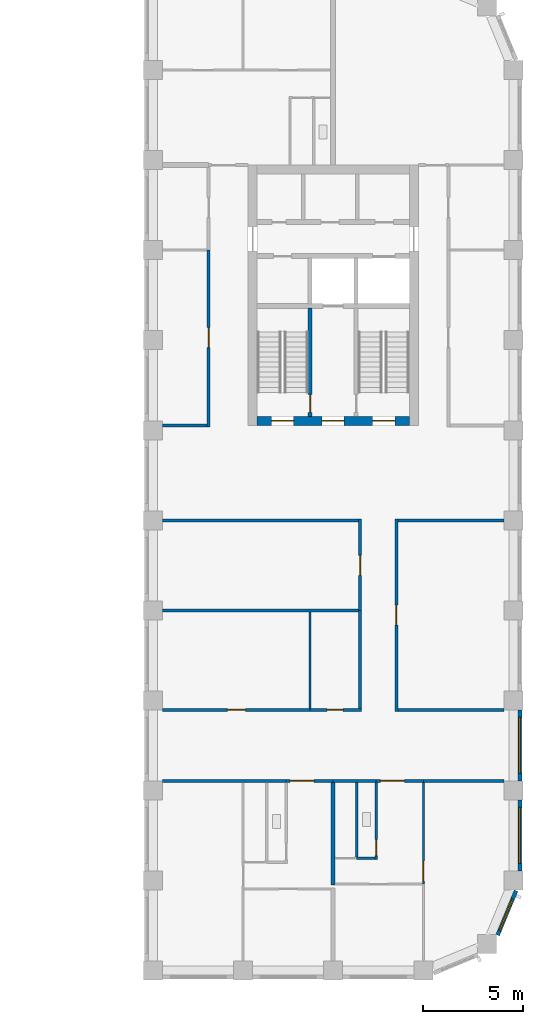
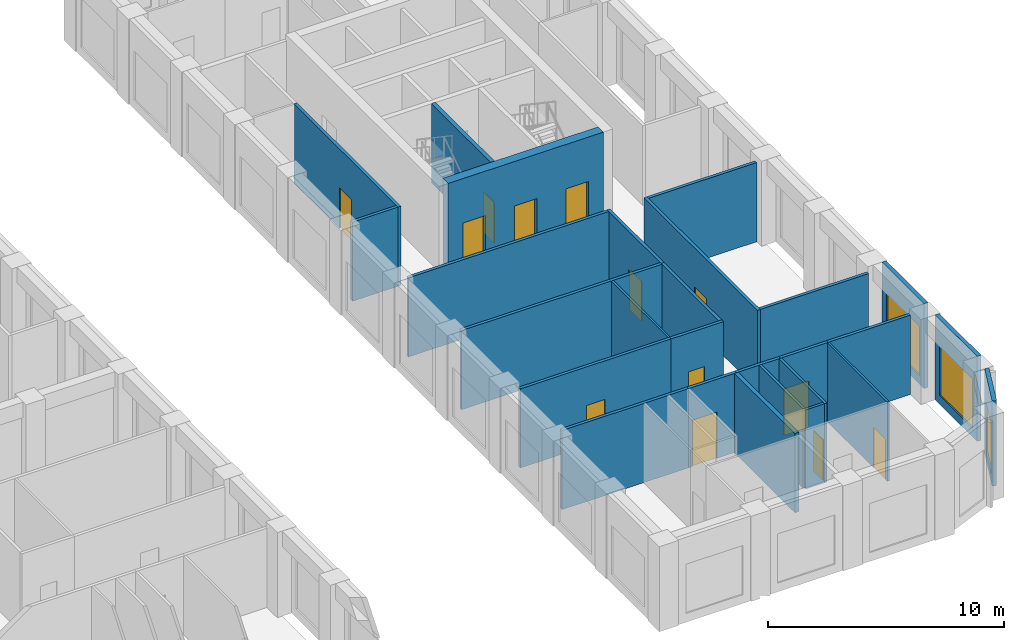
# One storey, part 5 of 13: 27 walls, 13 doors, 3 windows, 16 openings.
"""IFC4 building model written with IfcOpenShell, lengths in metres."""

from ifc_helpers import new_model, si_unit, direction, frame, frame_2d, origin, place, context, subcontext, project, spatial, rectangle, extrude, material, layer, layer_set, type_object, element, fill, save


model = new_model("IFC4")

# Units and contexts
model_context = context("Model", 3, precision=1e-05, world=origin(), true_north=direction((0.0, 1.0)))
body_context = subcontext(model_context, "Body", "Model", "MODEL_VIEW")
ifc_project = project(units=[si_unit("LENGTHUNIT", "METRE"), si_unit("AREAUNIT", "SQUARE_METRE"), si_unit("VOLUMEUNIT", "CUBIC_METRE"), si_unit("PLANEANGLEUNIT", "RADIAN"), si_unit("MASSUNIT", "GRAM", prefix="KILO")], contexts=[model_context])

# Site, building, storey
site_placement = place(None, origin())
site = spatial("IfcSite", under=ifc_project, at=site_placement, CompositionType="ELEMENT")
building_placement = place(site_placement, origin())
building = spatial("IfcBuilding", under=site, at=building_placement, Name="Girih Gate Residences", CompositionType="ELEMENT")
storey_placement = place(building_placement, frame((0.0, 0.0, 159.39990234375)))
storey = spatial("IfcBuildingStorey", under=building, at=storey_placement, Name="L44", CompositionType="ELEMENT", Elevation=159.39990234375)

# Wall, opening, door
ifc_material_1 = material(Name="Gypsum board on steel studs", Category="steel")
ifc_layer_1 = layer(ifc_material_1, 0.14990234375)
ifc_layer_set_1 = layer_set([ifc_layer_1], Name="Compartment wall 150 mm")
wall_type_1 = type_object("IfcWallType", Name="Compartment wall 150 mm", PredefinedType="PARTITIONING", material=ifc_layer_set_1)
wall_1_placement = place(storey_placement, frame((45.0, 9.47509765625, 0.0), z_axis=(0.0, 0.0, 1.0), x_axis=(-1.0, 0.0, 0.0)))
wall_1 = element("IfcWall", 1, at=wall_1_placement, inside=storey, type_object=wall_type_1, Name="L44 partition", PredefinedType="PARTITIONING", context=body_context, shape_type="SweptSolid", body=[
    extrude(rectangle(XDim=2.35009765625, YDim=0.14990234375, at=frame_2d((1.175048828125, 0.0))), origin(), (0.0, 0.0, 1.0), 4.10009765625),
])
opening_1_placement = place(wall_1_placement, frame((0.949951171875, 0.0, 0.0)))
opening_1 = element("IfcOpeningElement", 2, at=opening_1_placement, cuts=wall_1, Name="Opening A44-021", PredefinedType="OPENING", context=body_context, shape_type="SweptSolid", body=[
    extrude(rectangle(XDim=1.199951171875, YDim=2.39990234375, at=frame_2d((0.60009765625, 1.199951171875))), frame((0.0, 0.0849609375, 0.0), z_axis=(0.0, -1.0, 0.0), x_axis=(1.0, 0.0, 0.0)), (0.0, 0.0, 1.0), 0.169921875),
])
ifc_material_2 = material(Name="Timber, fire-rated core", Category="wood")
door_type_1 = type_object("IfcDoorType", Name="Villa entrance door 1200x2400 FD30S", OperationType="NOTDEFINED", PredefinedType="DOOR", material=ifc_material_2)
door_1_placement = place(opening_1_placement, origin())
door_1 = element("IfcDoor", 3, at=door_1_placement, inside=storey, type_object=door_type_1, Name="Door A44-021", OperationType="SINGLE_SWING_RIGHT", OverallHeight=2.39990234375, OverallWidth=1.199951171875, PredefinedType="DOOR", context=body_context, shape_type="SweptSolid", body=[
    extrude(rectangle(XDim=1.199951171875, YDim=2.39990234375, at=frame_2d((0.60009765625, 1.199951171875))), frame((0.0, 0.02490234375, 0.0), z_axis=(0.0, -1.0, 0.0), x_axis=(1.0, 0.0, 0.0)), (0.0, 0.0, 1.0), 0.050048828125),
])
fill(opening_1, door_1)

# Walls
wall_2_placement = place(storey_placement, frame((40.5, 9.47509765625, 0.0), z_axis=(0.0, 0.0, 1.0), x_axis=(1.0, 0.0, 0.0)))
element("IfcWall", 4, at=wall_2_placement, inside=storey, type_object=wall_type_1, Name="L44 partition", PredefinedType="PARTITIONING", context=body_context, shape_type="SweptSolid", body=[
    extrude(rectangle(XDim=2.14990234375, YDim=0.14990234375, at=frame_2d((1.074951171875, 0.0))), origin(), (0.0, 0.0, 1.0), 4.10009765625),
])
wall_3_placement = place(storey_placement, frame((45.0, 9.47509765625, 0.0), z_axis=(0.0, 0.0, 1.0), x_axis=(1.0, 0.0, 0.0)))
element("IfcWall", 5, at=wall_3_placement, inside=storey, type_object=wall_type_1, Name="L44 partition", PredefinedType="PARTITIONING", context=body_context, shape_type="SweptSolid", body=[
    extrude(rectangle(XDim=4.02490234375, YDim=0.14990234375, at=frame_2d((2.012451171875, 0.0))), origin(), (0.0, 0.0, 1.0), 4.10009765625),
])

# Wall, opening, door
wall_4_placement = place(storey_placement, frame((40.5, 9.47509765625, 0.0), z_axis=(0.0, 0.0, 1.0), x_axis=(-1.0, 0.0, 0.0)))
wall_4 = element("IfcWall", 6, at=wall_4_placement, inside=storey, type_object=wall_type_1, Name="L44 partition", PredefinedType="PARTITIONING", context=body_context, shape_type="SweptSolid", body=[
    extrude(rectangle(XDim=2.35009765625, YDim=0.14990234375, at=frame_2d((1.175048828125, 0.0))), origin(), (0.0, 0.0, 1.0), 4.10009765625),
])
opening_2_placement = place(wall_4_placement, frame((0.949951171875, 0.0, 0.0)))
opening_2 = element("IfcOpeningElement", 7, at=opening_2_placement, cuts=wall_4, Name="Opening A44-026", PredefinedType="OPENING", context=body_context, shape_type="SweptSolid", body=[
    extrude(rectangle(XDim=1.199951171875, YDim=2.39990234375, at=frame_2d((0.60009765625, 1.199951171875))), frame((0.0, 0.0849609375, 0.0), z_axis=(0.0, -1.0, 0.0), x_axis=(1.0, 0.0, 0.0)), (0.0, 0.0, 1.0), 0.169921875),
])
door_2_placement = place(opening_2_placement, origin())
door_2 = element("IfcDoor", 8, at=door_2_placement, inside=storey, type_object=door_type_1, Name="Door A44-026", OperationType="SINGLE_SWING_RIGHT", OverallHeight=2.39990234375, OverallWidth=1.199951171875, PredefinedType="DOOR", context=body_context, shape_type="SweptSolid", body=[
    extrude(rectangle(XDim=1.199951171875, YDim=2.39990234375, at=frame_2d((0.60009765625, 1.199951171875))), frame((0.0, 0.02490234375, 0.0), z_axis=(0.0, -1.0, 0.0), x_axis=(1.0, 0.0, 0.0)), (0.0, 0.0, 1.0), 0.050048828125),
])
fill(opening_2, door_2)

# Walls
wall_5_placement = place(storey_placement, frame((31.97509765625, 9.47509765625, 0.0), z_axis=(0.0, 0.0, 1.0), x_axis=(1.0, 0.0, 0.0)))
element("IfcWall", 9, at=wall_5_placement, inside=storey, type_object=wall_type_1, Name="L44 partition", PredefinedType="PARTITIONING", context=body_context, shape_type="SweptSolid", body=[
    extrude(rectangle(XDim=6.1748046875, YDim=0.14990234375, at=frame_2d((3.08740234375, 0.0))), origin(), (0.0, 0.0, 1.0), 4.10009765625),
])
wall_6_placement = place(storey_placement, frame((31.97509765625, 22.5, 0.0), z_axis=(0.0, 0.0, 1.0), x_axis=(1.0, 0.0, 0.0)))
element("IfcWall", 10, at=wall_6_placement, inside=storey, type_object=wall_type_1, Name="L44 partition", PredefinedType="PARTITIONING", context=body_context, shape_type="SweptSolid", body=[
    extrude(rectangle(XDim=9.7998046875, YDim=0.14990234375, at=frame_2d((4.89990234375, 0.0))), origin(), (0.0, 0.0, 1.0), 4.10009765625),
])

# Wall, opening, door
wall_7_placement = place(storey_placement, frame((41.85009765625, 18.0, 0.0), z_axis=(0.0, 0.0, 1.0), x_axis=(0.0, 1.0, 0.0)))
wall_7 = element("IfcWall", 11, at=wall_7_placement, inside=storey, type_object=wall_type_1, Name="L44 partition", PredefinedType="PARTITIONING", context=body_context, shape_type="SweptSolid", body=[
    extrude(rectangle(XDim=4.574951171875, YDim=0.14990234375, at=frame_2d((2.28759765625, 0.0))), origin(), (0.0, 0.0, 1.0), 4.10009765625),
])
opening_3_placement = place(wall_7_placement, frame((1.75, 0.0, 0.0)))
opening_3 = element("IfcOpeningElement", 12, at=opening_3_placement, cuts=wall_7, Name="Opening A44-032", PredefinedType="OPENING", context=body_context, shape_type="SweptSolid", body=[
    extrude(rectangle(XDim=1.0, YDim=2.10009765625, at=frame_2d((0.5, 1.050048828125))), frame((0.0, 0.0849609375, 0.0), z_axis=(0.0, -1.0, 0.0), x_axis=(1.0, 0.0, 0.0)), (0.0, 0.0, 1.0), 0.169921875),
])
door_type_2 = type_object("IfcDoorType", Name="Amenity room door 1000x2100 FD30S", OperationType="NOTDEFINED", PredefinedType="DOOR", material=ifc_material_2)
door_3_placement = place(opening_3_placement, origin())
door_3 = element("IfcDoor", 13, at=door_3_placement, inside=storey, type_object=door_type_2, Name="Door A44-032", OperationType="SINGLE_SWING_LEFT", OverallHeight=2.10009765625, OverallWidth=1.0, PredefinedType="DOOR", context=body_context, shape_type="SweptSolid", body=[
    extrude(rectangle(XDim=1.0, YDim=2.10009765625, at=frame_2d((0.5, 1.050048828125))), frame((0.0, 0.02490234375, 0.0), z_axis=(0.0, -1.0, 0.0), x_axis=(1.0, 0.0, 0.0)), (0.0, 0.0, 1.0), 0.050048828125),
])
fill(opening_3, door_3)

# Wall
wall_8_placement = place(storey_placement, frame((31.97509765625, 18.0, 0.0), z_axis=(0.0, 0.0, 1.0), x_axis=(1.0, 0.0, 0.0)))
element("IfcWall", 14, at=wall_8_placement, inside=storey, type_object=wall_type_1, Name="L44 partition", PredefinedType="PARTITIONING", context=body_context, shape_type="SweptSolid", body=[
    extrude(rectangle(XDim=9.7998046875, YDim=0.14990234375, at=frame_2d((4.89990234375, 0.0))), origin(), (0.0, 0.0, 1.0), 4.10009765625),
])

# Wall, opening, door
wall_9_placement = place(storey_placement, frame((31.97509765625, 13.02490234375, 0.0), z_axis=(0.0, 0.0, 1.0), x_axis=(1.0, 0.0, 0.0)))
wall_9 = element("IfcWall", 15, at=wall_9_placement, inside=storey, type_object=wall_type_1, Name="L44 partition", PredefinedType="PARTITIONING", context=body_context, shape_type="SweptSolid", body=[
    extrude(rectangle(XDim=7.375, YDim=0.14990234375, at=frame_2d((3.6875, 0.0))), origin(), (0.0, 0.0, 1.0), 4.10009765625),
])
opening_4_placement = place(wall_9_placement, frame((3.237548828125, 0.0, 0.0)))
opening_4 = element("IfcOpeningElement", 16, at=opening_4_placement, cuts=wall_9, Name="Opening A44-034", PredefinedType="OPENING", context=body_context, shape_type="SweptSolid", body=[
    extrude(rectangle(XDim=0.89990234375, YDim=2.10009765625, at=frame_2d((0.449951171875, 1.050048828125))), frame((0.0, 0.0849609375, 0.0), z_axis=(0.0, -1.0, 0.0), x_axis=(1.0, 0.0, 0.0)), (0.0, 0.0, 1.0), 0.169921875),
])
ifc_material_3 = material(Name="Timber", Category="wood")
door_type_3 = type_object("IfcDoorType", Name="Service room door 900x2100", OperationType="NOTDEFINED", PredefinedType="DOOR", material=ifc_material_3)
door_4_placement = place(opening_4_placement, origin())
door_4 = element("IfcDoor", 17, at=door_4_placement, inside=storey, type_object=door_type_3, Name="Door A44-034", OperationType="SINGLE_SWING_LEFT", OverallHeight=2.10009765625, OverallWidth=0.89990234375, PredefinedType="DOOR", context=body_context, shape_type="SweptSolid", body=[
    extrude(rectangle(XDim=0.89990234375, YDim=2.10009765625, at=frame_2d((0.449951171875, 1.050048828125))), frame((0.0, 0.02490234375, 0.0), z_axis=(0.0, -1.0, 0.0), x_axis=(1.0, 0.0, 0.0)), (0.0, 0.0, 1.0), 0.050048828125),
])
fill(opening_4, door_4)

wall_10_placement = place(storey_placement, frame((39.35009765625, 13.02490234375, 0.0), z_axis=(0.0, 0.0, 1.0), x_axis=(1.0, 0.0, 0.0)))
wall_10 = element("IfcWall", 18, at=wall_10_placement, inside=storey, type_object=wall_type_1, Name="L44 partition", PredefinedType="PARTITIONING", context=body_context, shape_type="SweptSolid", body=[
    extrude(rectangle(XDim=2.574951171875, YDim=0.14990234375, at=frame_2d((1.28759765625, 0.0))), origin(), (0.0, 0.0, 1.0), 4.10009765625),
])
opening_5_placement = place(wall_10_placement, frame((0.85009765625, 0.0, 0.0)))
opening_5 = element("IfcOpeningElement", 19, at=opening_5_placement, cuts=wall_10, Name="Opening A44-035", PredefinedType="OPENING", context=body_context, shape_type="SweptSolid", body=[
    extrude(rectangle(XDim=0.800048828125, YDim=2.10009765625, at=frame_2d((0.39990234375, 1.050048828125))), frame((0.0, 0.0849609375, 0.0), z_axis=(0.0, -1.0, 0.0), x_axis=(1.0, 0.0, 0.0)), (0.0, 0.0, 1.0), 0.169921875),
])
door_type_4 = type_object("IfcDoorType", Name="Bathroom door 800x2100", OperationType="NOTDEFINED", PredefinedType="DOOR", material=ifc_material_3)
door_5_placement = place(opening_5_placement, origin())
door_5 = element("IfcDoor", 20, at=door_5_placement, inside=storey, type_object=door_type_4, Name="Door A44-035", OperationType="SINGLE_SWING_LEFT", OverallHeight=2.10009765625, OverallWidth=0.800048828125, PredefinedType="DOOR", context=body_context, shape_type="SweptSolid", body=[
    extrude(rectangle(XDim=0.800048828125, YDim=2.10009765625, at=frame_2d((0.39990234375, 1.050048828125))), frame((0.0, 0.02490234375, 0.0), z_axis=(0.0, -1.0, 0.0), x_axis=(1.0, 0.0, 0.0)), (0.0, 0.0, 1.0), 0.050048828125),
])
fill(opening_5, door_5)

# Walls
wall_11_placement = place(storey_placement, frame((43.72509765625, 13.02490234375, 0.0), z_axis=(0.0, 0.0, 1.0), x_axis=(1.0, 0.0, 0.0)))
element("IfcWall", 21, at=wall_11_placement, inside=storey, type_object=wall_type_1, Name="L44 partition", PredefinedType="PARTITIONING", context=body_context, shape_type="SweptSolid", body=[
    extrude(rectangle(XDim=5.2998046875, YDim=0.14990234375, at=frame_2d((2.64990234375, 0.0))), origin(), (0.0, 0.0, 1.0), 4.10009765625),
])
wall_12_placement = place(storey_placement, frame((31.97509765625, 27.25, 0.0), z_axis=(0.0, 0.0, 1.0), x_axis=(1.0, 0.0, 0.0)))
element("IfcWall", 22, at=wall_12_placement, inside=storey, type_object=wall_type_1, Name="L44 partition", PredefinedType="PARTITIONING", context=body_context, shape_type="SweptSolid", body=[
    extrude(rectangle(XDim=2.224853515625, YDim=0.14990234375, at=frame_2d((1.1123046875, 0.0))), origin(), (0.0, 0.0, 1.0), 4.10009765625),
])

# Wall, opening, door
wall_13_placement = place(storey_placement, frame((34.27490234375, 27.175048828125, 0.0), z_axis=(0.0, 0.0, 1.0), x_axis=(0.0, 1.0, 0.0)))
wall_13 = element("IfcWall", 23, at=wall_13_placement, inside=storey, type_object=wall_type_1, Name="L44 partition", PredefinedType="PARTITIONING", context=body_context, shape_type="SweptSolid", body=[
    extrude(rectangle(XDim=8.824951171875, YDim=0.14990234375, at=frame_2d((4.41259765625, 0.0))), origin(), (0.0, 0.0, 1.0), 4.10009765625),
])
opening_6_placement = place(wall_13_placement, frame((3.949951171875, 0.0, 0.0)))
opening_6 = element("IfcOpeningElement", 24, at=opening_6_placement, cuts=wall_13, Name="Opening A44-039", PredefinedType="OPENING", context=body_context, shape_type="SweptSolid", body=[
    extrude(rectangle(XDim=1.0, YDim=2.10009765625, at=frame_2d((0.5, 1.050048828125))), frame((0.0, 0.0849609375, 0.0), z_axis=(0.0, -1.0, 0.0), x_axis=(1.0, 0.0, 0.0)), (0.0, 0.0, 1.0), 0.169921875),
])
door_6_placement = place(opening_6_placement, origin())
door_6 = element("IfcDoor", 25, at=door_6_placement, inside=storey, type_object=door_type_2, Name="Door A44-039", OperationType="SINGLE_SWING_RIGHT", OverallHeight=2.10009765625, OverallWidth=1.0, PredefinedType="DOOR", context=body_context, shape_type="SweptSolid", body=[
    extrude(rectangle(XDim=1.0, YDim=2.10009765625, at=frame_2d((0.5, 1.050048828125))), frame((0.0, 0.02490234375, 0.0), z_axis=(0.0, -1.0, 0.0), x_axis=(1.0, 0.0, 0.0)), (0.0, 0.0, 1.0), 0.050048828125),
])
fill(opening_6, door_6)

# Walls
wall_14_placement = place(storey_placement, frame((43.72509765625, 22.5, 0.0), z_axis=(0.0, 0.0, 1.0), x_axis=(1.0, 0.0, 0.0)))
element("IfcWall", 26, at=wall_14_placement, inside=storey, type_object=wall_type_1, Name="L44 partition", PredefinedType="PARTITIONING", context=body_context, shape_type="SweptSolid", body=[
    extrude(rectangle(XDim=5.2998046875, YDim=0.14990234375, at=frame_2d((2.64990234375, 0.0))), origin(), (0.0, 0.0, 1.0), 4.10009765625),
])
wall_15_placement = place(storey_placement, frame((41.85009765625, 13.10009765625, 0.0), z_axis=(0.0, 0.0, 1.0), x_axis=(0.0, 1.0, 0.0)))
element("IfcWall", 27, at=wall_15_placement, inside=storey, type_object=wall_type_1, Name="L44 partition", PredefinedType="PARTITIONING", context=body_context, shape_type="SweptSolid", body=[
    extrude(rectangle(XDim=4.89990234375, YDim=0.14990234375, at=frame_2d((2.449951171875, 0.0))), origin(), (0.0, 0.0, 1.0), 4.10009765625),
])

# Wall, opening, door
wall_16_placement = place(storey_placement, frame((43.64990234375, 22.574951171875, 0.0), z_axis=(0.0, 0.0, 1.0), x_axis=(0.0, -1.0, 0.0)))
wall_16 = element("IfcWall", 28, at=wall_16_placement, inside=storey, type_object=wall_type_1, Name="L44 partition", PredefinedType="PARTITIONING", context=body_context, shape_type="SweptSolid", body=[
    extrude(rectangle(XDim=9.625, YDim=0.14990234375, at=frame_2d((4.8125, 0.0))), origin(), (0.0, 0.0, 1.0), 4.10009765625),
])
opening_7_placement = place(wall_16_placement, frame((4.3125, 0.0, 0.0)))
opening_7 = element("IfcOpeningElement", 29, at=opening_7_placement, cuts=wall_16, Name="Opening A44-047", PredefinedType="OPENING", context=body_context, shape_type="SweptSolid", body=[
    extrude(rectangle(XDim=1.0, YDim=2.10009765625, at=frame_2d((0.5, 1.050048828125))), frame((0.0, 0.0849609375, 0.0), z_axis=(0.0, -1.0, 0.0), x_axis=(1.0, 0.0, 0.0)), (0.0, 0.0, 1.0), 0.169921875),
])
door_7_placement = place(opening_7_placement, origin())
door_7 = element("IfcDoor", 30, at=door_7_placement, inside=storey, type_object=door_type_2, Name="Door A44-047", OperationType="SINGLE_SWING_RIGHT", OverallHeight=2.10009765625, OverallWidth=1.0, PredefinedType="DOOR", context=body_context, shape_type="SweptSolid", body=[
    extrude(rectangle(XDim=1.0, YDim=2.10009765625, at=frame_2d((0.5, 1.050048828125))), frame((0.0, 0.02490234375, 0.0), z_axis=(0.0, -1.0, 0.0), x_axis=(1.0, 0.0, 0.0)), (0.0, 0.0, 1.0), 0.050048828125),
])
fill(opening_7, door_7)

# Wall, openings, doors
ifc_material_4 = material(Name="Concrete C60/75", Category="concrete")
ifc_layer_2 = layer(ifc_material_4, 0.449951171875)
ifc_layer_set_2 = layer_set([ifc_layer_2], Name="Core wall RC 450 Concrete C60/75")
wall_type_2 = type_object("IfcWallType", Name="Core wall RC 450 Concrete C60/75", PredefinedType="SOLIDWALL", material=ifc_layer_set_2)
wall_17_placement = place(storey_placement, frame((36.699951171875, 27.47509765625, 0.0), z_axis=(0.0, 0.0, 1.0), x_axis=(1.0, 0.0, 0.0)))
wall_17 = element("IfcWall", 31, at=wall_17_placement, inside=storey, type_object=wall_type_2, Name="Core wall E-S L44", PredefinedType="SOLIDWALL", context=body_context, shape_type="SweptSolid", body=[
    extrude(rectangle(XDim=7.60009765625, YDim=0.449951171875, at=frame_2d((3.800048828125, 0.0))), origin(), (0.0, 0.0, 1.0), 4.400146484375),
])
opening_8_placement = place(wall_17_placement, frame((5.77490234375, 0.0, 0.0)))
opening_8 = element("IfcOpeningElement", 32, at=opening_8_placement, cuts=wall_17, Name="Opening D-L44-E-009", PredefinedType="OPENING", context=body_context, shape_type="SweptSolid", body=[
    extrude(rectangle(XDim=1.10009765625, YDim=2.10009765625, at=frame_2d((0.550048828125, 1.050048828125))), frame((0.0, 0.23486328125, 0.0), z_axis=(0.0, -1.0, 0.0), x_axis=(1.0, 0.0, 0.0)), (0.0, 0.0, 1.0), 0.469970703125),
])
opening_9_placement = place(wall_17_placement, frame((3.25, 0.0, 0.0)))
opening_9 = element("IfcOpeningElement", 33, at=opening_9_placement, cuts=wall_17, Name="Opening D-L44-E-010", PredefinedType="OPENING", context=body_context, shape_type="SweptSolid", body=[
    extrude(rectangle(XDim=1.10009765625, YDim=2.10009765625, at=frame_2d((0.550048828125, 1.050048828125))), frame((0.0, 0.23486328125, 0.0), z_axis=(0.0, -1.0, 0.0), x_axis=(1.0, 0.0, 0.0)), (0.0, 0.0, 1.0), 0.469970703125),
])
opening_10_placement = place(wall_17_placement, frame((0.72509765625, 0.0, 0.0)))
opening_10 = element("IfcOpeningElement", 34, at=opening_10_placement, cuts=wall_17, Name="Opening D-L44-E-011", PredefinedType="OPENING", context=body_context, shape_type="SweptSolid", body=[
    extrude(rectangle(XDim=1.10009765625, YDim=2.10009765625, at=frame_2d((0.550048828125, 1.050048828125))), frame((0.0, 0.23486328125, 0.0), z_axis=(0.0, -1.0, 0.0), x_axis=(1.0, 0.0, 0.0)), (0.0, 0.0, 1.0), 0.469970703125),
])
ifc_material_5 = material(Name="Painted steel, fire-resisting", Category="steel")
door_type_5 = type_object("IfcDoorType", Name="Fire door 1100x2100", OperationType="SINGLE_SWING_LEFT", PredefinedType="DOOR", material=ifc_material_5)
door_8_placement = place(opening_8_placement, origin())
door_8 = element("IfcDoor", 35, at=door_8_placement, inside=storey, type_object=door_type_5, Name="L44 E core door sta-out", OperationType="SINGLE_SWING_LEFT", OverallHeight=2.10009765625, OverallWidth=1.10009765625, PredefinedType="DOOR", context=body_context, shape_type="SweptSolid", body=[
    extrude(rectangle(XDim=1.10009765625, YDim=2.10009765625, at=frame_2d((0.550048828125, 1.050048828125))), frame((0.0, 0.02490234375, 0.0), z_axis=(0.0, -1.0, 0.0), x_axis=(1.0, 0.0, 0.0)), (0.0, 0.0, 1.0), 0.050048828125),
])
fill(opening_8, door_8)
door_9_placement = place(opening_9_placement, origin())
door_9 = element("IfcDoor", 36, at=door_9_placement, inside=storey, type_object=door_type_5, Name="L44 E core door ffl-out", OperationType="SINGLE_SWING_LEFT", OverallHeight=2.10009765625, OverallWidth=1.10009765625, PredefinedType="DOOR", context=body_context, shape_type="SweptSolid", body=[
    extrude(rectangle(XDim=1.10009765625, YDim=2.10009765625, at=frame_2d((0.550048828125, 1.050048828125))), frame((0.0, 0.02490234375, 0.0), z_axis=(0.0, -1.0, 0.0), x_axis=(1.0, 0.0, 0.0)), (0.0, 0.0, 1.0), 0.050048828125),
])
fill(opening_9, door_9)
door_10_placement = place(opening_10_placement, origin())
door_10 = element("IfcDoor", 37, at=door_10_placement, inside=storey, type_object=door_type_5, Name="L44 E core door stb-out", OperationType="SINGLE_SWING_LEFT", OverallHeight=2.10009765625, OverallWidth=1.10009765625, PredefinedType="DOOR", context=body_context, shape_type="SweptSolid", body=[
    extrude(rectangle(XDim=1.10009765625, YDim=2.10009765625, at=frame_2d((0.550048828125, 1.050048828125))), frame((0.0, 0.02490234375, 0.0), z_axis=(0.0, -1.0, 0.0), x_axis=(1.0, 0.0, 0.0)), (0.0, 0.0, 1.0), 0.050048828125),
])
fill(opening_10, door_10)

# Wall, opening, door
ifc_layer_3 = layer(ifc_material_1, 0.10009765625)
ifc_layer_set_3 = layer_set([ifc_layer_3], Name="Partition 100 mm")
wall_type_3 = type_object("IfcWallType", Name="Partition 100 mm", PredefinedType="PARTITIONING", material=ifc_layer_set_3)
wall_18_placement = place(storey_placement, frame((45.0, 9.39990234375, 0.0), z_axis=(0.0, 0.0, 1.0), x_axis=(0.0, -1.0, 0.0)))
wall_18 = element("IfcWall", 38, at=wall_18_placement, inside=storey, type_object=wall_type_3, Name="L44 partition", PredefinedType="PARTITIONING", context=body_context, shape_type="SweptSolid", body=[
    extrude(rectangle(XDim=5.0849609375, YDim=0.10009765625, at=frame_2d((2.54248046875, 0.0))), origin(), (0.0, 0.0, 1.0), 4.10009765625),
])
opening_11_placement = place(wall_18_placement, frame((3.93505859375, 0.0, 0.0)))
opening_11 = element("IfcOpeningElement", 39, at=opening_11_placement, cuts=wall_18, Name="Opening A44-020", PredefinedType="OPENING", context=body_context, shape_type="SweptSolid", body=[
    extrude(rectangle(XDim=1.0, YDim=2.10009765625, at=frame_2d((0.5, 1.050048828125))), frame((0.0, 0.06005859375, 0.0), z_axis=(0.0, -1.0, 0.0), x_axis=(1.0, 0.0, 0.0)), (0.0, 0.0, 1.0), 0.1201171875),
])
door_type_6 = type_object("IfcDoorType", Name="Living room door 1000x2100", OperationType="NOTDEFINED", PredefinedType="DOOR", material=ifc_material_3)
door_11_placement = place(opening_11_placement, origin())
door_11 = element("IfcDoor", 40, at=door_11_placement, inside=storey, type_object=door_type_6, Name="Door A44-020", OperationType="SINGLE_SWING_RIGHT", OverallHeight=2.10009765625, OverallWidth=1.0, PredefinedType="DOOR", context=body_context, shape_type="SweptSolid", body=[
    extrude(rectangle(XDim=1.0, YDim=2.10009765625, at=frame_2d((0.5, 1.050048828125))), frame((0.0, 0.02490234375, 0.0), z_axis=(0.0, -1.0, 0.0), x_axis=(1.0, 0.0, 0.0)), (0.0, 0.0, 1.0), 0.050048828125),
])
fill(opening_11, door_11)

# Walls
wall_19_placement = place(storey_placement, frame((39.35009765625, 13.10009765625, 0.0), z_axis=(0.0, 0.0, 1.0), x_axis=(0.0, 1.0, 0.0)))
element("IfcWall", 41, at=wall_19_placement, inside=storey, type_object=wall_type_3, Name="L44 partition", PredefinedType="PARTITIONING", context=body_context, shape_type="SweptSolid", body=[
    extrude(rectangle(XDim=4.824951171875, YDim=0.10009765625, at=frame_2d((2.41259765625, 0.0))), origin(), (0.0, 0.0, 1.0), 4.10009765625),
])
ifc_layer_4 = layer(ifc_material_1, 0.199951171875)
ifc_layer_set_4 = layer_set([ifc_layer_4], Name="Party wall 200 mm")
wall_type_4 = type_object("IfcWallType", Name="Party wall 200 mm", PredefinedType="PARTITIONING", material=ifc_layer_set_4)
wall_20_placement = place(storey_placement, frame((40.5, 4.264892578125, 0.0), z_axis=(0.0, 0.0, 1.0), x_axis=(0.0, 1.0, 0.0)))
element("IfcWall", 42, at=wall_20_placement, inside=storey, type_object=wall_type_4, Name="L44 partition", PredefinedType="PARTITIONING", context=body_context, shape_type="SweptSolid", body=[
    extrude(rectangle(XDim=5.135009765625, YDim=0.199951171875, at=frame_2d((2.5673828125, 0.0))), origin(), (0.0, 0.0, 1.0), 4.10009765625),
])

# Wall, opening, window
ifc_material_6 = material(Name="Precast concrete C50/60", Category="concrete")
ifc_layer_5 = layer(ifc_material_6, 0.06005859375, Name="Outer leaf")
ifc_material_7 = material(Name="Rigid PIR insulation")
ifc_layer_6 = layer(ifc_material_7, 0.090087890625, Name="Insulation")
ifc_material_8 = material(Name="Precast concrete C40/50", Category="concrete")
ifc_layer_7 = layer(ifc_material_8, 0.050048828125, Name="Inner leaf")
ifc_layer_set_5 = layer_set([ifc_layer_5, ifc_layer_6, ifc_layer_7], Name="Precast concrete C50/60 external wall 200")
wall_type_5 = type_object("IfcWallType", Name="Precast concrete C50/60 external wall 200", PredefinedType="SOLIDWALL", material=ifc_layer_set_5)
wall_21_placement = place(storey_placement, frame((49.63916015625, 3.98681640625, 0.0), z_axis=(0.0, 0.0, 1.0), x_axis=(-0.382680855588, -0.923880599843, 0.0)))
wall_21 = element("IfcWall", 43, at=wall_21_placement, inside=storey, type_object=wall_type_5, Name="External wall SE0482_0013.0", PredefinedType="SOLIDWALL", context=body_context, shape_type="SweptSolid", body=[
    extrude(rectangle(XDim=2.402587890625, YDim=0.199951171875, at=frame_2d((1.201171875, 0.0))), origin(), (0.0, 0.0, 1.0), 4.400146484375),
])
opening_12_placement = place(wall_21_placement, frame((0.451171875, 0.0, 0.449951171875)))
opening_12 = element("IfcOpeningElement", 44, at=opening_12_placement, cuts=wall_21, Name="Opening W-2F", PredefinedType="OPENING", context=body_context, shape_type="SweptSolid", body=[
    extrude(rectangle(XDim=1.699951171875, YDim=2.550048828125, at=frame_2d((0.85009765625, 1.27490234375))), frame((0.0, 0.10986328125, 0.0), z_axis=(0.0, -1.0, 0.0), x_axis=(1.0, 0.0, 0.0)), (0.0, 0.0, 1.0), 0.219970703125),
])
ifc_material_9 = material(Name="Double glazing in aluminium frame", Category="aluminium")
window_type_1 = type_object("IfcWindowType", Name="Window W-2F 1700x2550", PartitioningType="SINGLE_PANEL", PredefinedType="WINDOW", material=ifc_material_9)
window_1_placement = place(opening_12_placement, origin())
window_1 = element("IfcWindow", 45, at=window_1_placement, inside=storey, type_object=window_type_1, Name="Window W-2F SE0482_0013.0", OverallHeight=2.550048828125, OverallWidth=1.699951171875, PartitioningType="SINGLE_PANEL", PredefinedType="WINDOW", context=body_context, shape_type="SweptSolid", body=[
    extrude(rectangle(XDim=1.699951171875, YDim=2.550048828125, at=frame_2d((0.85009765625, 1.27490234375))), frame((0.0, 0.030029296875, 0.0), z_axis=(0.0, -1.0, 0.0), x_axis=(1.0, 0.0, 0.0)), (0.0, 0.0, 1.0), 0.06005859375),
])
fill(opening_12, window_1)

wall_22_placement = place(storey_placement, frame((49.824951171875, 8.52490234375, 0.0), z_axis=(0.0, 0.0, 1.0), x_axis=(0.0, -1.0, 0.0)))
wall_22 = element("IfcWall", 46, at=wall_22_placement, inside=storey, type_object=wall_type_5, Name="External wall E0495_0045.0", PredefinedType="SOLIDWALL", context=body_context, shape_type="SweptSolid", body=[
    extrude(rectangle(XDim=3.5498046875, YDim=0.199951171875, at=frame_2d((1.77490234375, 0.0))), origin(), (0.0, 0.0, 1.0), 4.400146484375),
])
opening_13_placement = place(wall_22_placement, frame((0.375, 0.0, 0.449951171875)))
opening_13 = element("IfcOpeningElement", 47, at=opening_13_placement, cuts=wall_22, Name="Opening W-6A", PredefinedType="OPENING", context=body_context, shape_type="SweptSolid", body=[
    extrude(rectangle(XDim=2.800048828125, YDim=2.550048828125, at=frame_2d((1.39990234375, 1.27490234375))), frame((0.0, 0.10986328125, 0.0), z_axis=(0.0, -1.0, 0.0), x_axis=(1.0, 0.0, 0.0)), (0.0, 0.0, 1.0), 0.219970703125),
])
window_type_2 = type_object("IfcWindowType", Name="Window W-6A 2800x2550", PartitioningType="SINGLE_PANEL", PredefinedType="WINDOW", material=ifc_material_9)
window_2_placement = place(opening_13_placement, origin())
window_2 = element("IfcWindow", 48, at=window_2_placement, inside=storey, type_object=window_type_2, Name="Window W-6A E0495_0045.0", OverallHeight=2.550048828125, OverallWidth=2.800048828125, PartitioningType="SINGLE_PANEL", PredefinedType="WINDOW", context=body_context, shape_type="SweptSolid", body=[
    extrude(rectangle(XDim=2.800048828125, YDim=2.550048828125, at=frame_2d((1.39990234375, 1.27490234375))), frame((0.0, 0.030029296875, 0.0), z_axis=(0.0, -1.0, 0.0), x_axis=(1.0, 0.0, 0.0)), (0.0, 0.0, 1.0), 0.06005859375),
])
fill(opening_13, window_2)

wall_23_placement = place(storey_placement, frame((49.824951171875, 13.02490234375, 0.0), z_axis=(0.0, 0.0, 1.0), x_axis=(0.0, -1.0, 0.0)))
wall_23 = element("IfcWall", 49, at=wall_23_placement, inside=storey, type_object=wall_type_5, Name="External wall E0495_0045.1", PredefinedType="SOLIDWALL", context=body_context, shape_type="SweptSolid", body=[
    extrude(rectangle(XDim=3.5498046875, YDim=0.199951171875, at=frame_2d((1.77490234375, 0.0))), origin(), (0.0, 0.0, 1.0), 4.400146484375),
])
opening_14_placement = place(wall_23_placement, frame((0.375, 0.0, 0.449951171875)))
opening_14 = element("IfcOpeningElement", 50, at=opening_14_placement, cuts=wall_23, Name="Opening W-6A", PredefinedType="OPENING", context=body_context, shape_type="SweptSolid", body=[
    extrude(rectangle(XDim=2.800048828125, YDim=2.550048828125, at=frame_2d((1.39990234375, 1.27490234375))), frame((0.0, 0.10986328125, 0.0), z_axis=(0.0, -1.0, 0.0), x_axis=(1.0, 0.0, 0.0)), (0.0, 0.0, 1.0), 0.219970703125),
])
window_3_placement = place(opening_14_placement, origin())
window_3 = element("IfcWindow", 51, at=window_3_placement, inside=storey, type_object=window_type_2, Name="Window W-6A E0495_0045.1", OverallHeight=2.550048828125, OverallWidth=2.800048828125, PartitioningType="SINGLE_PANEL", PredefinedType="WINDOW", context=body_context, shape_type="SweptSolid", body=[
    extrude(rectangle(XDim=2.800048828125, YDim=2.550048828125, at=frame_2d((1.39990234375, 1.27490234375))), frame((0.0, 0.030029296875, 0.0), z_axis=(0.0, -1.0, 0.0), x_axis=(1.0, 0.0, 0.0)), (0.0, 0.0, 1.0), 0.06005859375),
])
fill(opening_14, window_3)

# Wall, opening, door
ifc_material_10 = material(Name="Concrete C40/50", Category="concrete")
ifc_layer_8 = layer(ifc_material_10, 0.199951171875)
ifc_layer_set_6 = layer_set([ifc_layer_8], Name="Shaft wall 200")
wall_type_6 = type_object("IfcWallType", Name="Shaft wall 200", PredefinedType="SOLIDWALL", material=ifc_layer_set_6)
wall_24_placement = place(storey_placement, frame((39.35009765625, 27.699951171875, 0.0), z_axis=(0.0, 0.0, 1.0), x_axis=(0.0, 1.0, 0.0)))
wall_24 = element("IfcWall", 52, at=wall_24_placement, inside=storey, type_object=wall_type_6, Name="L44 E core wall V2a", PredefinedType="SOLIDWALL", context=body_context, shape_type="SweptSolid", body=[
    extrude(rectangle(XDim=5.400146484375, YDim=0.199951171875, at=frame_2d((2.7001953125, 0.0))), origin(), (0.0, 0.0, 1.0), 4.10009765625),
])
opening_15_placement = place(wall_24_placement, frame((0.199951171875, 0.0, 0.0)))
opening_15 = element("IfcOpeningElement", 53, at=opening_15_placement, cuts=wall_24, Name="Opening D-L44-E-002", PredefinedType="OPENING", context=body_context, shape_type="SweptSolid", body=[
    extrude(rectangle(XDim=0.89990234375, YDim=2.10009765625, at=frame_2d((0.449951171875, 1.050048828125))), frame((0.0, 0.10986328125, 0.0), z_axis=(0.0, -1.0, 0.0), x_axis=(1.0, 0.0, 0.0)), (0.0, 0.0, 1.0), 0.219970703125),
])
door_type_7 = type_object("IfcDoorType", Name="Fire door 900x2100", OperationType="SINGLE_SWING_LEFT", PredefinedType="DOOR", material=ifc_material_5)
door_12_placement = place(opening_15_placement, origin())
door_12 = element("IfcDoor", 54, at=door_12_placement, inside=storey, type_object=door_type_7, Name="L44 E door stair 2 to firefighting lobby", OperationType="SINGLE_SWING_LEFT", OverallHeight=2.10009765625, OverallWidth=0.89990234375, PredefinedType="DOOR", context=body_context, shape_type="SweptSolid", body=[
    extrude(rectangle(XDim=0.89990234375, YDim=2.10009765625, at=frame_2d((0.449951171875, 1.050048828125))), frame((0.0, 0.02490234375, 0.0), z_axis=(0.0, -1.0, 0.0), x_axis=(1.0, 0.0, 0.0)), (0.0, 0.0, 1.0), 0.050048828125),
])
fill(opening_15, door_12)

ifc_layer_9 = layer(ifc_material_1, 0.125)
ifc_layer_set_7 = layer_set([ifc_layer_9], Name="Wet room wall 125 mm")
wall_type_7 = type_object("IfcWallType", Name="Wet room wall 125 mm", PredefinedType="PARTITIONING", material=ifc_layer_set_7)
wall_25_placement = place(storey_placement, frame((42.64990234375, 5.552490234375, 0.0), z_axis=(0.0, 0.0, 1.0), x_axis=(0.0, 1.0, 0.0)))
wall_25 = element("IfcWall", 55, at=wall_25_placement, inside=storey, type_object=wall_type_7, Name="L44 partition", PredefinedType="PARTITIONING", context=body_context, shape_type="SweptSolid", body=[
    extrude(rectangle(XDim=3.847412109375, YDim=0.125, at=frame_2d((1.923828125, 0.0))), origin(), (0.0, 0.0, 1.0), 4.10009765625),
])
opening_16_placement = place(wall_25_placement, frame((0.1826171875, 0.0, 0.0)))
opening_16 = element("IfcOpeningElement", 56, at=opening_16_placement, cuts=wall_25, Name="Opening A44-017", PredefinedType="OPENING", context=body_context, shape_type="SweptSolid", body=[
    extrude(rectangle(XDim=0.800048828125, YDim=2.10009765625, at=frame_2d((0.39990234375, 1.050048828125))), frame((0.0, 0.072509765625, 0.0), z_axis=(0.0, -1.0, 0.0), x_axis=(1.0, 0.0, 0.0)), (0.0, 0.0, 1.0), 0.14501953125),
])
door_13_placement = place(opening_16_placement, origin())
door_13 = element("IfcDoor", 57, at=door_13_placement, inside=storey, type_object=door_type_4, Name="Door A44-017", OperationType="SINGLE_SWING_LEFT", OverallHeight=2.10009765625, OverallWidth=0.800048828125, PredefinedType="DOOR", context=body_context, shape_type="SweptSolid", body=[
    extrude(rectangle(XDim=0.800048828125, YDim=2.10009765625, at=frame_2d((0.39990234375, 1.050048828125))), frame((0.0, 0.02490234375, 0.0), z_axis=(0.0, -1.0, 0.0), x_axis=(1.0, 0.0, 0.0)), (0.0, 0.0, 1.0), 0.050048828125),
])
fill(opening_16, door_13)

# Walls
wall_26_placement = place(storey_placement, frame((41.672607421875, 5.614990234375, 0.0), z_axis=(0.0, 0.0, 1.0), x_axis=(1.0, 0.0, 0.0)))
element("IfcWall", 58, at=wall_26_placement, inside=storey, type_object=wall_type_7, Name="L44 partition", PredefinedType="PARTITIONING", context=body_context, shape_type="SweptSolid", body=[
    extrude(rectangle(XDim=0.914794921875, YDim=0.125, at=frame_2d((0.45751953125, 0.0))), origin(), (0.0, 0.0, 1.0), 4.10009765625),
])
wall_27_placement = place(storey_placement, frame((41.673095703125, 5.677490234375, 0.0), z_axis=(0.0, 0.0, 1.0), x_axis=(0.0, 1.0, 0.0)))
element("IfcWall", 59, at=wall_27_placement, inside=storey, type_object=wall_type_7, Name="L44 partition", PredefinedType="PARTITIONING", context=body_context, shape_type="SweptSolid", body=[
    extrude(rectangle(XDim=3.722412109375, YDim=0.125, at=frame_2d((1.861328125, 0.0))), origin(), (0.0, 0.0, 1.0), 4.10009765625),
])

save(model, "model.ifc")
